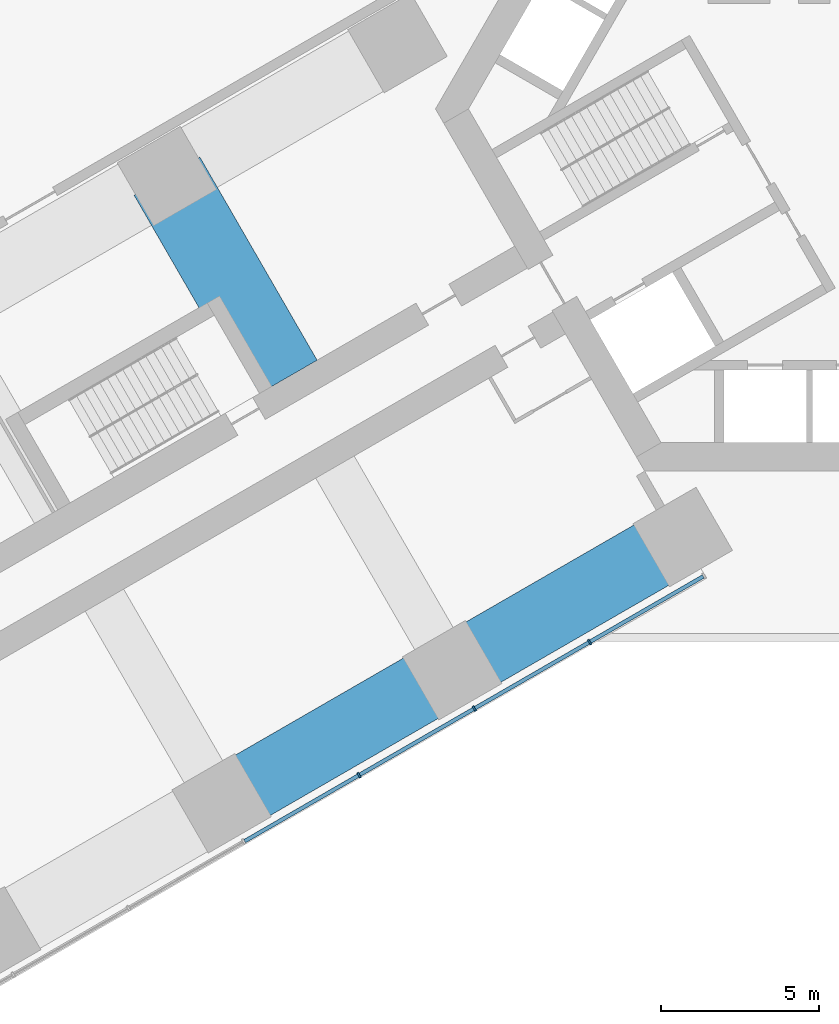
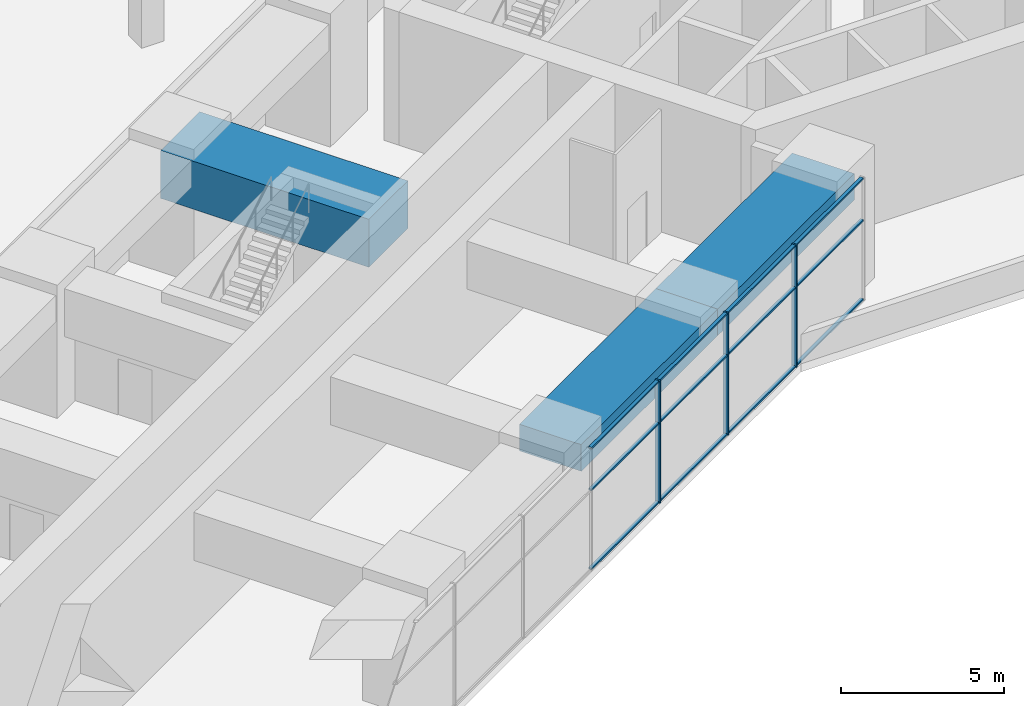
# One storey, part 4 of 33: 15 members, 3 beams, 1 element without a shape of its own.
"""IFC4 building model written with IfcOpenShell, lengths in metres."""

from ifc_helpers import new_model, si_unit, direction, frame, origin, origin_2d, place, context, subcontext, project, spatial, rectangle, extrude, material, material_profile, profile_set, type_object, element, aggregate, save


model = new_model("IFC4")

# Units and contexts
model_context = context("Model", 3, precision=1e-05, world=origin(), true_north=direction((0.0, 1.0)))
body_context = subcontext(model_context, "Body", "Model", "MODEL_VIEW")
ifc_project = project(units=[si_unit("LENGTHUNIT", "METRE"), si_unit("AREAUNIT", "SQUARE_METRE"), si_unit("VOLUMEUNIT", "CUBIC_METRE"), si_unit("PLANEANGLEUNIT", "RADIAN"), si_unit("MASSUNIT", "GRAM", prefix="KILO")], contexts=[model_context])

# Site, building, storey
site_placement = place(None, origin())
site = spatial("IfcSite", under=ifc_project, at=site_placement, CompositionType="ELEMENT")
building_placement = place(site_placement, origin())
building = spatial("IfcBuilding", under=site, at=building_placement, Name="Impinga Residences", CompositionType="ELEMENT")
storey_placement = place(building_placement, frame((0.0, 0.0, 21.0)))
storey = spatial("IfcBuildingStorey", under=building, at=storey_placement, Name="L04", CompositionType="ELEMENT", Elevation=21.0)

# Beam
ifc_material_1 = material(Name="Concrete C60/75", Category="concrete")
ifc_material_profile_1 = material_profile(ifc_material_1, rectangle(XDim=2.39990234375, YDim=1.800048828125, at=origin_2d()), Name="RC 2400x1800")
ifc_profile_set_1 = profile_set([ifc_material_profile_1], Name="Concrete C60/75")
beam_type_1 = type_object("IfcBeamType", Name="CG6 2400x1800 cross girder on bay line 2 under the first tower floor", PredefinedType="BEAM", material=ifc_profile_set_1)
beam_placement = place(storey_placement, frame((-17.974609375, -8.530029296875, 3.699951171875), z_axis=(-0.500003285667, 0.866023506795, 0.0), x_axis=(-0.866023506795, -0.500003285667, 0.0)))
element("IfcBeam", 1, at=beam_placement, inside=storey, type_object=beam_type_1, Name="Beam CG6 W2 WC/WF level L05", PredefinedType="BEAM", context=body_context, shape_type="SweptSolid", body=[
    extrude(rectangle(XDim=2.39990234375, YDim=1.800048828125, at=origin_2d()), origin(), (0.0, 0.0, 1.0), 7.39990234375),
])

# Curtain wall, members
ifc_material_2 = material(Name="Aluminium stick curtain wall", Category="aluminium")
curtain_wall_type = type_object("IfcCurtainWallType", Name="CW1 podium amenity curtain wall", PredefinedType="USERDEFINED", material=ifc_material_2)
curtain_wall_placement = place(storey_placement, origin())
curtain_wall = element("IfcCurtainWall", 2, at=curtain_wall_placement, inside=storey, type_object=curtain_wall_type, Name="Curtain wall CW1 L04", ObjectType="STICK CURTAIN WALL", PredefinedType="USERDEFINED")
ifc_material_3 = material(Name="Aluminium mullion", Category="aluminium")
ifc_material_profile_2 = material_profile(ifc_material_3, rectangle(XDim=0.06005859375, YDim=0.179931640625, at=origin_2d()), Name="60x180 mullion")
ifc_profile_set_2 = profile_set([ifc_material_profile_2], Name="Aluminium mullion")
member_type_1 = type_object("IfcMemberType", Name="CW1-M mullion 60x180", PredefinedType="MULLION", material=ifc_profile_set_2)
member_1_placement = place(storey_placement, frame((-8.33740234375, -16.822509765625, 0.0), z_axis=(0.0, 0.0, 1.0), x_axis=(-0.866025407005, -0.499999994423, 0.0)))
member_1 = element("IfcMember", 3, at=member_1_placement, type_object=member_type_1, Name="CW1 mullion 2", PredefinedType="MULLION", context=body_context, shape_type="SweptSolid", body=[
    extrude(rectangle(XDim=0.06005859375, YDim=0.179931640625, at=origin_2d()), origin(), (0.0, 0.0, 1.0), 4.60009765625),
])
member_2_placement = place(storey_placement, frame((-11.974609375, -18.92236328125, 0.0), z_axis=(0.0, 0.0, 1.0), x_axis=(-0.866025407005, -0.499999994423, 0.0)))
member_2 = element("IfcMember", 4, at=member_2_placement, type_object=member_type_1, Name="CW1 mullion 3", PredefinedType="MULLION", context=body_context, shape_type="SweptSolid", body=[
    extrude(rectangle(XDim=0.06005859375, YDim=0.179931640625, at=origin_2d()), origin(), (0.0, 0.0, 1.0), 4.60009765625),
])
member_3_placement = place(storey_placement, frame((-15.61181640625, -21.0224609375, 0.0), z_axis=(0.0, 0.0, 1.0), x_axis=(-0.866025407005, -0.499999994423, 0.0)))
member_3 = element("IfcMember", 5, at=member_3_placement, type_object=member_type_1, Name="CW1 mullion 4", PredefinedType="MULLION", context=body_context, shape_type="SweptSolid", body=[
    extrude(rectangle(XDim=0.06005859375, YDim=0.179931640625, at=origin_2d()), origin(), (0.0, 0.0, 1.0), 4.60009765625),
])
ifc_material_4 = material(Name="Aluminium transom", Category="aluminium")
ifc_material_profile_3 = material_profile(ifc_material_4, rectangle(XDim=0.06005859375, YDim=0.1201171875, at=origin_2d()), Name="60x120 transom")
ifc_profile_set_3 = profile_set([ifc_material_profile_3], Name="Aluminium transom")
member_type_2 = type_object("IfcMemberType", Name="CW1-T transom 60x120", PredefinedType="USERDEFINED", material=ifc_profile_set_3)
member_4_placement = place(storey_placement, frame((-4.751953125, -14.75244140625, 0.030029296875), z_axis=(-0.866030279993, -0.499991554064, 0.0), x_axis=(0.0, 0.0, 1.0)))
member_4 = element("IfcMember", 6, at=member_4_placement, type_object=member_type_2, Name="CW1 transom 1.1", ObjectType="TRANSOM", PredefinedType="USERDEFINED", context=body_context, shape_type="SweptSolid", body=[
    extrude(rectangle(XDim=0.06005859375, YDim=0.1201171875, at=origin_2d()), origin(), (0.0, 0.0, 1.0), 4.10986328125),
])
member_5_placement = place(storey_placement, frame((-4.751953125, -14.75244140625, 3.0), z_axis=(-0.866030279993, -0.499991554064, 0.0), x_axis=(0.0, 0.0, 1.0)))
member_5 = element("IfcMember", 7, at=member_5_placement, type_object=member_type_2, Name="CW1 transom 1.2", ObjectType="TRANSOM", PredefinedType="USERDEFINED", context=body_context, shape_type="SweptSolid", body=[
    extrude(rectangle(XDim=0.06005859375, YDim=0.1201171875, at=origin_2d()), origin(), (0.0, 0.0, 1.0), 4.10986328125),
])
member_6_placement = place(storey_placement, frame((-4.751953125, -14.75244140625, 4.570068359375), z_axis=(-0.866030279993, -0.499991554064, 0.0), x_axis=(0.0, 0.0, 1.0)))
member_6 = element("IfcMember", 8, at=member_6_placement, type_object=member_type_2, Name="CW1 transom 1.3", ObjectType="TRANSOM", PredefinedType="USERDEFINED", context=body_context, shape_type="SweptSolid", body=[
    extrude(rectangle(XDim=0.06005859375, YDim=0.1201171875, at=origin_2d()), origin(), (0.0, 0.0, 1.0), 4.10986328125),
])
member_7_placement = place(storey_placement, frame((-8.36328125, -16.83740234375, 0.030029296875), z_axis=(-0.866024536972, -0.500001501361, 0.0), x_axis=(0.0, 0.0, 1.0)))
member_7 = element("IfcMember", 9, at=member_7_placement, type_object=member_type_2, Name="CW1 transom 2.1", ObjectType="TRANSOM", PredefinedType="USERDEFINED", context=body_context, shape_type="SweptSolid", body=[
    extrude(rectangle(XDim=0.06005859375, YDim=0.1201171875, at=origin_2d()), origin(), (0.0, 0.0, 1.0), 4.14013671875),
])
member_8_placement = place(storey_placement, frame((-8.36328125, -16.83740234375, 3.0), z_axis=(-0.866024536972, -0.500001501361, 0.0), x_axis=(0.0, 0.0, 1.0)))
member_8 = element("IfcMember", 10, at=member_8_placement, type_object=member_type_2, Name="CW1 transom 2.2", ObjectType="TRANSOM", PredefinedType="USERDEFINED", context=body_context, shape_type="SweptSolid", body=[
    extrude(rectangle(XDim=0.06005859375, YDim=0.1201171875, at=origin_2d()), origin(), (0.0, 0.0, 1.0), 4.14013671875),
])
member_9_placement = place(storey_placement, frame((-8.36328125, -16.83740234375, 4.570068359375), z_axis=(-0.866024536972, -0.500001501361, 0.0), x_axis=(0.0, 0.0, 1.0)))
member_9 = element("IfcMember", 11, at=member_9_placement, type_object=member_type_2, Name="CW1 transom 2.3", ObjectType="TRANSOM", PredefinedType="USERDEFINED", context=body_context, shape_type="SweptSolid", body=[
    extrude(rectangle(XDim=0.06005859375, YDim=0.1201171875, at=origin_2d()), origin(), (0.0, 0.0, 1.0), 4.14013671875),
])
member_10_placement = place(storey_placement, frame((-12.00048828125, -18.9375, 0.030029296875), z_axis=(-0.866050071143, -0.499957272447, 0.0), x_axis=(0.0, 0.0, 1.0)))
member_10 = element("IfcMember", 12, at=member_10_placement, type_object=member_type_2, Name="CW1 transom 3.1", ObjectType="TRANSOM", PredefinedType="USERDEFINED", context=body_context, shape_type="SweptSolid", body=[
    extrude(rectangle(XDim=0.06005859375, YDim=0.1201171875, at=origin_2d()), origin(), (0.0, 0.0, 1.0), 4.139892578125),
])
member_11_placement = place(storey_placement, frame((-12.00048828125, -18.9375, 3.0), z_axis=(-0.866050071143, -0.499957272447, 0.0), x_axis=(0.0, 0.0, 1.0)))
member_11 = element("IfcMember", 13, at=member_11_placement, type_object=member_type_2, Name="CW1 transom 3.2", ObjectType="TRANSOM", PredefinedType="USERDEFINED", context=body_context, shape_type="SweptSolid", body=[
    extrude(rectangle(XDim=0.06005859375, YDim=0.1201171875, at=origin_2d()), origin(), (0.0, 0.0, 1.0), 4.139892578125),
])
member_12_placement = place(storey_placement, frame((-12.00048828125, -18.9375, 4.570068359375), z_axis=(-0.866050071143, -0.499957272447, 0.0), x_axis=(0.0, 0.0, 1.0)))
member_12 = element("IfcMember", 14, at=member_12_placement, type_object=member_type_2, Name="CW1 transom 3.3", ObjectType="TRANSOM", PredefinedType="USERDEFINED", context=body_context, shape_type="SweptSolid", body=[
    extrude(rectangle(XDim=0.06005859375, YDim=0.1201171875, at=origin_2d()), origin(), (0.0, 0.0, 1.0), 4.139892578125),
])
member_13_placement = place(storey_placement, frame((-15.637939453125, -21.037353515625, 0.030029296875), z_axis=(-0.866009793405, -0.500027036996, 0.0), x_axis=(0.0, 0.0, 1.0)))
member_13 = element("IfcMember", 15, at=member_13_placement, type_object=member_type_2, Name="CW1 transom 4.1", ObjectType="TRANSOM", PredefinedType="USERDEFINED", context=body_context, shape_type="SweptSolid", body=[
    extrude(rectangle(XDim=0.06005859375, YDim=0.1201171875, at=origin_2d()), origin(), (0.0, 0.0, 1.0), 4.139892578125),
])
member_14_placement = place(storey_placement, frame((-15.637939453125, -21.037353515625, 3.0), z_axis=(-0.866009793405, -0.500027036996, 0.0), x_axis=(0.0, 0.0, 1.0)))
member_14 = element("IfcMember", 16, at=member_14_placement, type_object=member_type_2, Name="CW1 transom 4.2", ObjectType="TRANSOM", PredefinedType="USERDEFINED", context=body_context, shape_type="SweptSolid", body=[
    extrude(rectangle(XDim=0.06005859375, YDim=0.1201171875, at=origin_2d()), origin(), (0.0, 0.0, 1.0), 4.139892578125),
])
member_15_placement = place(storey_placement, frame((-15.637939453125, -21.037353515625, 4.570068359375), z_axis=(-0.866009793405, -0.500027036996, 0.0), x_axis=(0.0, 0.0, 1.0)))
member_15 = element("IfcMember", 17, at=member_15_placement, type_object=member_type_2, Name="CW1 transom 4.3", ObjectType="TRANSOM", PredefinedType="USERDEFINED", context=body_context, shape_type="SweptSolid", body=[
    extrude(rectangle(XDim=0.06005859375, YDim=0.1201171875, at=origin_2d()), origin(), (0.0, 0.0, 1.0), 4.139892578125),
])
aggregate(curtain_wall, [member_1, member_2, member_3, member_4, member_5, member_6, member_7, member_8, member_9, member_10, member_11, member_12, member_13, member_14, member_15])

# Beams
ifc_material_profile_4 = material_profile(ifc_material_1, rectangle(XDim=2.199951171875, YDim=1.0, at=origin_2d()), Name="RC 2200x1000")
ifc_profile_set_4 = profile_set([ifc_material_profile_4], Name="Concrete C60/75")
beam_type_2 = type_object("IfcBeamType", Name="PB3 2200x1000 podium band beam", PredefinedType="BEAM", material=ifc_profile_set_4)
for number, where, z_axis, x_axis, name in (
    (18, (-5.39990234375, -13.510009765625, 4.10009765625), (-0.86602925447, -0.499993330357, 0.0), (0.499993330357, -0.86602925447, 0.0), "Beam PB3 WA W1-W2 level L05"),
    (19, (-12.674560546875, -17.7099609375, 4.10009765625), (-0.86602925447, -0.499993330357, 0.0), (0.499993330357, -0.86602925447, 0.0), "Beam PB3 WA W2-W3 level L05"),
):
    element("IfcBeam", number, at=place(storey_placement, frame(where, z_axis=z_axis, x_axis=x_axis)), inside=storey, type_object=beam_type_2, Name=name, PredefinedType="BEAM", context=body_context, shape_type="SweptSolid", body=[
        extrude(rectangle(XDim=2.199951171875, YDim=1.0, at=origin_2d()), origin(), (0.0, 0.0, 1.0), 8.39990234375),
    ])

save(model, "model.ifc")
